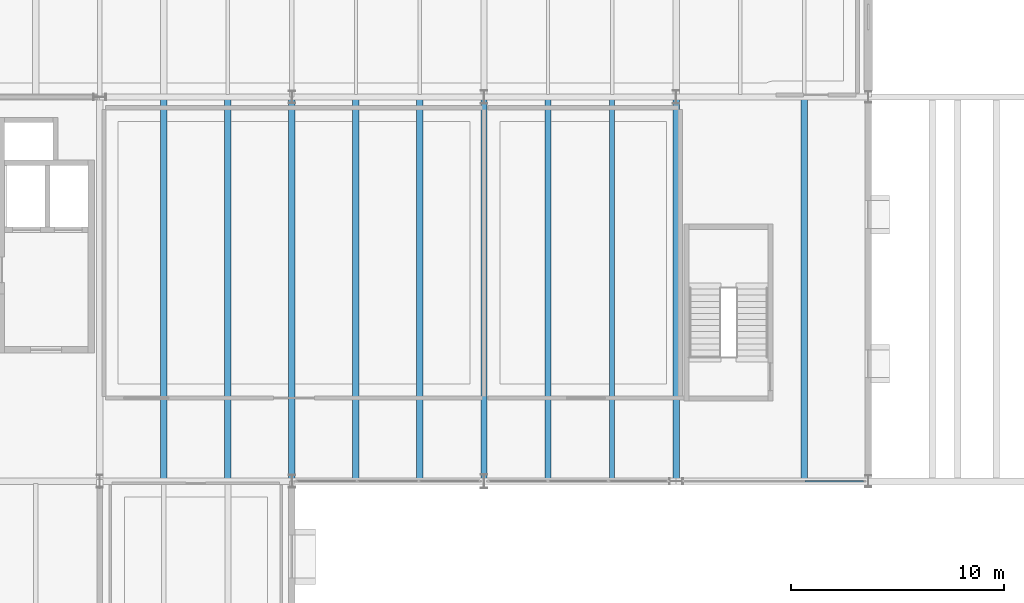
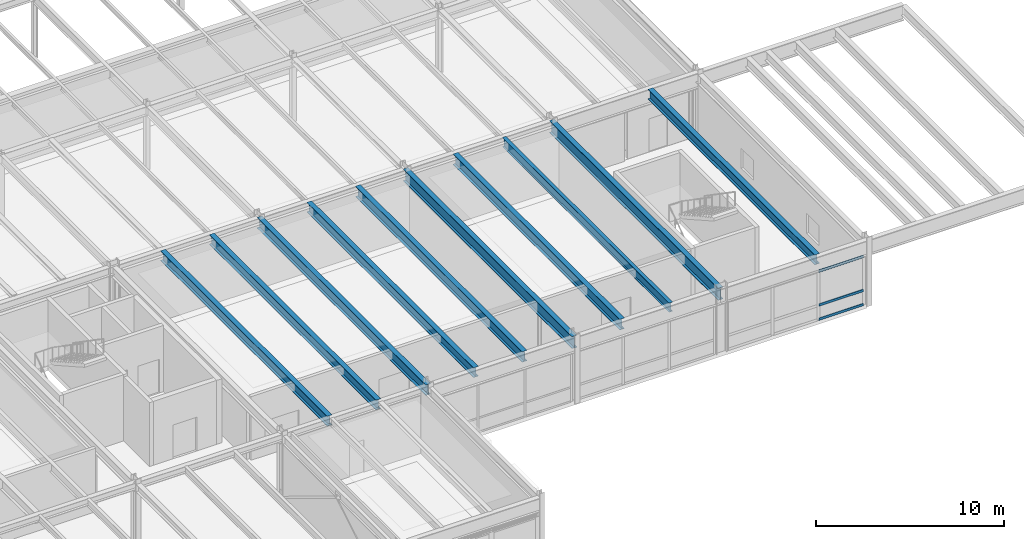
# One storey, part 92 of 127: 10 beams, 3 members, 1 element without a shape of its own.
"""IFC4 building model written with IfcOpenShell, lengths in metres."""

import ifcopenshell
import ifcopenshell.guid

model = None  # the IFC model being written
_history = None  # IfcOwnerHistory: only IFC2X3 demands one
_inside = {}  # id of a spatial element -> (the spatial element, [elements in it])
_under = {}  # id of a project, library or spatial element -> (it, [spatial elements below it])
_declared = {}  # id of a project -> (the project, [libraries it declares])
_typed = {}  # id of a type object -> (the type object, [elements of that type])
_made_of = {}  # id of a material, layer set ... -> (it, [elements and type objects made of it])


def new_model(schema):
    """Start an empty IFC model of exactly this schema.

    Asked for "IFC4X3", IfcOpenShell would pick the latest addendum, in which some entities
    have other attributes; the version numbers below select the first issue.
    IFC2X3 requires an IfcOwnerHistory on every rooted entity: one is made here for all.
    """
    global model, _history
    if schema == "IFC4X3":
        model = ifcopenshell.file(schema_version=(4, 3, 0, 0))
    else:
        model = ifcopenshell.file(schema=schema)
    _inside.clear()
    _under.clear()
    _declared.clear()
    _typed.clear()
    _made_of.clear()
    _history = None
    if model.schema == "IFC2X3":
        org = make("IfcOrganization", Name="unknown")
        user = make(
            "IfcPersonAndOrganization",
            ThePerson=make("IfcPerson", FamilyName="unknown"),
            TheOrganization=org,
        )
        app = make(
            "IfcApplication",
            ApplicationDeveloper=org,
            Version="unknown",
            ApplicationFullName="unknown",
            ApplicationIdentifier="unknown",
        )
        _history = make(
            "IfcOwnerHistory",
            OwningUser=user,
            OwningApplication=app,
            ChangeAction="ADDED",
            CreationDate=0,
        )
    return model


def make(cls, **values):
    """One entity of the class cls with the attributes given. An attribute that is None is left unset."""
    return model.create_entity(
        cls, **{name: value for name, value in values.items() if value is not None}
    )


def rooted(cls, **values):
    """An entity with a GlobalId (a new one), such as an element, a storey or a relation."""
    return make(cls, GlobalId=ifcopenshell.guid.new(), OwnerHistory=_history, **values)


def si_unit(unit_type, name, prefix=None):
    """IfcSIUnit, for example si_unit("LENGTHUNIT", "METRE", prefix="MILLI")."""
    return make("IfcSIUnit", UnitType=unit_type, Prefix=prefix, Name=name)


def assignment(units):
    """IfcUnitAssignment: the units of a project."""
    return None if units is None else make("IfcUnitAssignment", Units=units)


def point(xyz):
    """IfcCartesianPoint."""
    return None if xyz is None else make("IfcCartesianPoint", Coordinates=xyz)


def direction(xyz):
    """IfcDirection."""
    return None if xyz is None else make("IfcDirection", DirectionRatios=xyz)


def frame(location, z_axis=None, x_axis=None):
    """IfcAxis2Placement3D, a coordinate frame: its origin and axes. An axis left out is left unset."""
    return make(
        "IfcAxis2Placement3D",
        Location=point(location),
        Axis=direction(z_axis),
        RefDirection=direction(x_axis),
    )


def frame_2d(location, x_axis=None):
    """IfcAxis2Placement2D, a coordinate frame in the plane: its origin and x axis."""
    return make(
        "IfcAxis2Placement2D", Location=point(location), RefDirection=direction(x_axis)
    )


def origin():
    """The frame at (0, 0, 0) with its axes left unset."""
    return frame((0.0, 0.0, 0.0))


def origin_2d():
    """The frame at (0, 0) in the plane with its x axis left unset."""
    return frame_2d((0.0, 0.0))


def place(relative_to, where):
    """IfcLocalPlacement: puts the frame where relative to a parent placement (None: the world)."""
    return make(
        "IfcLocalPlacement", PlacementRelTo=relative_to, RelativePlacement=where
    )


def context(
    kind, dimensions, precision=None, world=None, true_north=None, identifier=None
):
    """IfcGeometricRepresentationContext, for example the 3D "Model" context."""
    return make(
        "IfcGeometricRepresentationContext",
        ContextIdentifier=identifier,
        ContextType=kind,
        CoordinateSpaceDimension=dimensions,
        Precision=precision,
        WorldCoordinateSystem=world,
        TrueNorth=true_north,
    )


def subcontext(parent, identifier, kind, view, scale=None):
    """IfcGeometricRepresentationSubContext, for example "Body" below "Model"."""
    return make(
        "IfcGeometricRepresentationSubContext",
        ContextIdentifier=identifier,
        ContextType=kind,
        ParentContext=parent,
        TargetScale=scale,
        TargetView=view,
    )


def project(units=None, contexts=None):
    """IfcProject with its units and contexts."""
    return rooted(
        "IfcProject",
        Name="project",
        RepresentationContexts=contexts,
        UnitsInContext=assignment(units),
    )


def spatial(cls, under=None, at=None, **own):
    """A site, building, storey or space (cls), placed at a placement, below another one or the project."""
    s = rooted(cls, ObjectPlacement=at, **own)
    if under is not None:
        _under.setdefault(under.id(), (under, []))[1].append(s)
    return s


def profile(cls, at=None, kind="AREA", **sizes):
    """A parametric profile (cls). Its sizes go by their IFC names, for example OverallWidth=200.0."""
    return make(cls, ProfileType=kind, Position=at, **sizes)


def hollow_rectangle(**sizes):
    """IfcRectangleHollowProfileDef."""
    return profile("IfcRectangleHollowProfileDef", **sizes)


def i_section(**sizes):
    """IfcIShapeProfileDef."""
    return profile("IfcIShapeProfileDef", **sizes)


def extrude(swept, where, along, depth):
    """IfcExtrudedAreaSolid: the profile swept, set in the frame where, extruded along a direction by depth."""
    return make(
        "IfcExtrudedAreaSolid",
        SweptArea=swept,
        Position=where,
        ExtrudedDirection=direction(along),
        Depth=depth,
    )


def shape(context_of_items, identifier, shape_type, items):
    """IfcShapeRepresentation: the items that make up one representation, for example the "Body"."""
    return make(
        "IfcShapeRepresentation",
        ContextOfItems=context_of_items,
        RepresentationIdentifier=identifier,
        RepresentationType=shape_type,
        Items=items,
    )


def material(Name=None, Category=None):
    """IfcMaterial."""
    return make("IfcMaterial", Name=Name, Category=Category)


def layer(
    of_material, thickness, ventilated=None, Name=None, Category=None, Priority=None
):
    """IfcMaterialLayer: one layer of a wall or slab, of a material (None: an air gap)."""
    return make(
        "IfcMaterialLayer",
        Material=of_material,
        LayerThickness=thickness,
        IsVentilated=ventilated,
        Name=Name,
        Category=Category,
        Priority=Priority,
    )


def layer_set(layers, Name=None):
    """IfcMaterialLayerSet."""
    return make("IfcMaterialLayerSet", MaterialLayers=layers, LayerSetName=Name)


def material_profile(
    of_material, cross_section, Name=None, Category=None, Priority=None
):
    """IfcMaterialProfile: a cross section and its material."""
    return make(
        "IfcMaterialProfile",
        Name=Name,
        Material=of_material,
        Profile=cross_section,
        Priority=Priority,
        Category=Category,
    )


def profile_set(profiles, Name=None, composite=None):
    """IfcMaterialProfileSet."""
    return make(
        "IfcMaterialProfileSet",
        Name=Name,
        MaterialProfiles=profiles,
        CompositeProfile=composite,
    )


def made_of(thing, what):
    """Note that an element or type object is made of a material, layer set ...; save() writes the relation."""
    if what is not None:
        _made_of.setdefault(what.id(), (what, []))[1].append(thing)
    return thing


def type_object(cls, material=None, **own):
    """A type object (cls), such as IfcWallType, which elements share."""
    return made_of(rooted(cls, **own), material)


def element(
    cls,
    number,
    at=None,
    inside=None,
    cuts=None,
    type_object=None,
    material=None,
    context=None,
    identifier="Body",
    shape_type=None,
    held_by="IfcProductDefinitionShape",
    body=None,
    shapes=None,
    **own,
):
    """One element of the class cls, such as IfcWall. Its Tag is "e" and its number.

    at: its placement. inside: the storey or other place that contains it. cuts: it is an
    opening in that element (IfcRelVoidsElement). A single representation is given by context,
    identifier, shape_type and body (its items); several are given by shapes. held_by: the class
    of the entity that holds the representations. save() writes the other relations.
    """
    e = rooted(cls, Tag="e%d" % number, ObjectPlacement=at, **own)
    if body is not None:
        shapes = [shape(context, identifier, shape_type, body)]
    if shapes is not None:
        e.Representation = make(held_by, Representations=shapes)
    if inside is not None:
        _inside.setdefault(inside.id(), (inside, []))[1].append(e)
    if cuts is not None:
        rooted(
            "IfcRelVoidsElement", RelatingBuildingElement=cuts, RelatedOpeningElement=e
        )
    if type_object is not None:
        _typed.setdefault(type_object.id(), (type_object, []))[1].append(e)
    return made_of(e, material)


def aggregate(whole, parts):
    """IfcRelAggregates: a whole, such as a stair, and the parts it consists of."""
    return rooted("IfcRelAggregates", RelatingObject=whole, RelatedObjects=parts)


def save(model, path):
    """Write the relations noted so far, then the file.

    IfcRelAggregates (storeys below a building ...), IfcRelContainedInSpatialStructure (elements
    in a storey), IfcRelDefinesByType, IfcRelAssociatesMaterial and IfcRelDeclares: one each for
    every whole, place, type object, material and project.
    """
    for whole, parts in _under.values():
        aggregate(whole, parts)
    for where, things in _inside.values():
        rooted(
            "IfcRelContainedInSpatialStructure",
            RelatedElements=things,
            RelatingStructure=where,
        )
    for kind, things in _typed.values():
        rooted("IfcRelDefinesByType", RelatedObjects=things, RelatingType=kind)
    for what, things in _made_of.values():
        rooted("IfcRelAssociatesMaterial", RelatedObjects=things, RelatingMaterial=what)
    for by, libraries in _declared.values():
        rooted("IfcRelDeclares", RelatingContext=by, RelatedDefinitions=libraries)
    model.write(path)


model = new_model("IFC4")

# Units and contexts
model_context = context("Model", 3, precision=1e-05, world=origin(), true_north=direction((0.0, 1.0)))
body_context = subcontext(model_context, "Body", "Model", "MODEL_VIEW")
ifc_project = project(units=[si_unit("LENGTHUNIT", "METRE"), si_unit("AREAUNIT", "SQUARE_METRE"), si_unit("VOLUMEUNIT", "CUBIC_METRE"), si_unit("PLANEANGLEUNIT", "RADIAN"), si_unit("MASSUNIT", "GRAM", prefix="KILO")], contexts=[model_context])

# Site, building, storey
site_placement = place(None, origin())
site = spatial("IfcSite", under=ifc_project, at=site_placement, CompositionType="ELEMENT")
building_placement = place(site_placement, origin())
building = spatial("IfcBuilding", under=site, at=building_placement, Name="Montelvaro Courts of Justice", CompositionType="ELEMENT")
storey_placement = place(building_placement, frame((0.0, 0.0, 5.39990234375)))
storey = spatial("IfcBuildingStorey", under=building, at=storey_placement, Name="L01", CompositionType="ELEMENT", Elevation=5.39990234375)

# Beams
ifc_material_1 = material(Name="Steel S355", Category="steel")
ifc_material_profile_1 = material_profile(ifc_material_1, i_section(OverallWidth=0.300048828125, OverallDepth=0.639892578125, WebThickness=0.013427734375, FlangeThickness=0.02587890625, at=origin_2d()), Name="HEA 650")
ifc_profile_set_1 = profile_set([ifc_material_profile_1], Name="Steel S355")
beam_type_1 = type_object("IfcBeamType", Name="Beam_HEA650", PredefinedType="USERDEFINED", material=ifc_profile_set_1)
for number, where, z_axis, x_axis, name in (
    (1, (132.0, 78.110107421875, 3.880126953125), (0.0, 1.0, 0.0), (-1.0, 0.0, 0.0), "Beam B-22 L01"),
    (2, (138.0, 78.110107421875, 3.880126953125), (0.0, 1.0, 0.0), (-1.0, 0.0, 0.0), "Beam B-22 L01"),
):
    element("IfcBeam", number, at=place(storey_placement, frame(where, z_axis=z_axis, x_axis=x_axis)), inside=storey, type_object=beam_type_1, Name=name, ObjectType="GIRDER", PredefinedType="USERDEFINED", context=body_context, shape_type="SweptSolid", body=[
        extrude(i_section(OverallWidth=0.300048828125, OverallDepth=0.639892578125, WebThickness=0.013427734375, FlangeThickness=0.02587890625, at=origin_2d()), origin(), (0.0, 0.0, 1.0), 17.77978515625),
    ])
ifc_material_profile_2 = material_profile(ifc_material_1, i_section(OverallWidth=0.300048828125, OverallDepth=0.68994140625, WebThickness=0.014404296875, FlangeThickness=0.027099609375, at=origin_2d()), Name="HEA 700")
ifc_profile_set_2 = profile_set([ifc_material_profile_2], Name="Steel S355")
beam_type_2 = type_object("IfcBeamType", Name="Beam_HEA700", PredefinedType="USERDEFINED", material=ifc_profile_set_2)
beam_1_placement = place(storey_placement, frame((135.0, 78.0, 3.85498046875), z_axis=(0.0, 1.0, 0.0), x_axis=(-1.0, 0.0, 0.0)))
element("IfcBeam", 3, at=beam_1_placement, inside=storey, type_object=beam_type_2, Name="Beam B-23 L01", ObjectType="GIRDER", PredefinedType="USERDEFINED", context=body_context, shape_type="SweptSolid", body=[
    extrude(i_section(OverallWidth=0.300048828125, OverallDepth=0.68994140625, WebThickness=0.014404296875, FlangeThickness=0.027099609375, at=origin_2d()), origin(), (0.0, 0.0, 1.0), 18.0),
])
for number, where, z_axis, x_axis, name in (
    (4, (141.0, 78.110107421875, 3.85498046875), (0.0, 1.0, 0.0), (-1.0, 0.0, 0.0), "Beam B-23 L01"),
    (5, (147.0, 78.110107421875, 3.85498046875), (0.0, 1.0, 0.0), (-1.0, 0.0, 0.0), "Beam B-23 L01"),
):
    element("IfcBeam", number, at=place(storey_placement, frame(where, z_axis=z_axis, x_axis=x_axis)), inside=storey, type_object=beam_type_2, Name=name, ObjectType="GIRDER", PredefinedType="USERDEFINED", context=body_context, shape_type="SweptSolid", body=[
        extrude(i_section(OverallWidth=0.300048828125, OverallDepth=0.68994140625, WebThickness=0.014404296875, FlangeThickness=0.027099609375, at=origin_2d()), origin(), (0.0, 0.0, 1.0), 17.77978515625),
    ])
ifc_material_profile_3 = material_profile(ifc_material_1, i_section(OverallWidth=0.300048828125, OverallDepth=0.7900390625, WebThickness=0.014892578125, FlangeThickness=0.028076171875, at=origin_2d()), Name="HEA 800")
ifc_profile_set_3 = profile_set([ifc_material_profile_3], Name="Steel S355")
beam_type_3 = type_object("IfcBeamType", Name="Beam_HEA800", PredefinedType="USERDEFINED", material=ifc_profile_set_3)
beam_2_placement = place(storey_placement, frame((144.0, 78.0, 3.80517578125), z_axis=(0.0, 1.0, 0.0), x_axis=(-1.0, 0.0, 0.0)))
element("IfcBeam", 6, at=beam_2_placement, inside=storey, type_object=beam_type_3, Name="Beam B-24 L01", ObjectType="GIRDER", PredefinedType="USERDEFINED", context=body_context, shape_type="SweptSolid", body=[
    extrude(i_section(OverallWidth=0.300048828125, OverallDepth=0.7900390625, WebThickness=0.014892578125, FlangeThickness=0.028076171875, at=origin_2d()), origin(), (0.0, 0.0, 1.0), 18.0),
])
ifc_material_profile_4 = material_profile(ifc_material_1, i_section(OverallWidth=0.300048828125, OverallDepth=0.64990234375, WebThickness=0.01611328125, FlangeThickness=0.031005859375, at=origin_2d()), Name="HEB 650")
ifc_profile_set_4 = profile_set([ifc_material_profile_4], Name="Steel S355")
beam_type_4 = type_object("IfcBeamType", Name="Beam_HEB650", PredefinedType="USERDEFINED", material=ifc_profile_set_4)
for number, where, z_axis, x_axis, name in (
    (7, (129.0, 78.110107421875, 3.875), (0.0, 1.0, 0.0), (-1.0, 0.0, 0.0), "Beam B-27 L01"),
    (8, (159.0, 78.110107421875, 3.875), (0.0, 1.0, 0.0), (-1.0, 0.0, 0.0), "Beam B-27 L01"),
):
    element("IfcBeam", number, at=place(storey_placement, frame(where, z_axis=z_axis, x_axis=x_axis)), inside=storey, type_object=beam_type_4, Name=name, ObjectType="GIRDER", PredefinedType="USERDEFINED", context=body_context, shape_type="SweptSolid", body=[
        extrude(i_section(OverallWidth=0.300048828125, OverallDepth=0.64990234375, WebThickness=0.01611328125, FlangeThickness=0.031005859375, at=origin_2d()), origin(), (0.0, 0.0, 1.0), 17.77978515625),
    ])
ifc_material_profile_5 = material_profile(ifc_material_1, i_section(OverallWidth=0.300048828125, OverallDepth=0.800048828125, WebThickness=0.017578125, FlangeThickness=0.032958984375, at=origin_2d()), Name="HEB 800")
ifc_profile_set_5 = profile_set([ifc_material_profile_5], Name="Steel S355")
beam_type_5 = type_object("IfcBeamType", Name="Beam_HEB800", PredefinedType="USERDEFINED", material=ifc_profile_set_5)
beam_3_placement = place(storey_placement, frame((153.0, 78.0, 3.800048828125), z_axis=(0.0, 1.0, 0.0), x_axis=(-1.0, 0.0, 0.0)))
element("IfcBeam", 9, at=beam_3_placement, inside=storey, type_object=beam_type_5, Name="Beam B-29 L01", ObjectType="GIRDER", PredefinedType="USERDEFINED", context=body_context, shape_type="SweptSolid", body=[
    extrude(i_section(OverallWidth=0.300048828125, OverallDepth=0.800048828125, WebThickness=0.017578125, FlangeThickness=0.032958984375, at=origin_2d()), origin(), (0.0, 0.0, 1.0), 18.0),
])
ifc_material_profile_6 = material_profile(ifc_material_1, i_section(OverallWidth=0.219970703125, OverallDepth=0.60009765625, WebThickness=0.011962890625, FlangeThickness=0.01904296875, at=origin_2d()), Name="IPE 600")
ifc_profile_set_6 = profile_set([ifc_material_profile_6], Name="Steel S355")
beam_type_6 = type_object("IfcBeamType", Name="Beam_IPE600", PredefinedType="USERDEFINED", material=ifc_profile_set_6)
beam_4_placement = place(storey_placement, frame((150.0, 78.110107421875, 3.900146484375), z_axis=(0.0, 1.0, 0.0), x_axis=(-1.0, 0.0, 0.0)))
element("IfcBeam", 10, at=beam_4_placement, inside=storey, type_object=beam_type_6, Name="Beam B-12 L01", ObjectType="GIRDER", PredefinedType="USERDEFINED", context=body_context, shape_type="SweptSolid", body=[
    extrude(i_section(OverallWidth=0.219970703125, OverallDepth=0.60009765625, WebThickness=0.011962890625, FlangeThickness=0.01904296875, at=origin_2d()), origin(), (0.0, 0.0, 1.0), 17.77978515625),
])

# Curtain wall, members
ifc_material_2 = material(Name="Anodised aluminium EN AW-6063", Category="aluminium")
ifc_layer = layer(ifc_material_2, 0.159912109375)
ifc_layer_set = layer_set([ifc_layer], Name="Anodised aluminium EN AW-6063")
curtain_wall_type = type_object("IfcCurtainWallType", Name="CurtainWall_21_849x418", PredefinedType="USERDEFINED", material=ifc_layer_set)
curtain_wall_placement = place(storey_placement, origin())
curtain_wall = element("IfcCurtainWall", 11, at=curtain_wall_placement, inside=storey, type_object=curtain_wall_type, Name="Curtain Wall CW-21 (L01)", ObjectType="CURTAIN WALL", PredefinedType="USERDEFINED")
ifc_material_profile_7 = material_profile(ifc_material_2, hollow_rectangle(XDim=0.06005859375, YDim=0.159912109375, WallThickness=0.00439453125, at=origin_2d()), Name="ALU-T 60x160")
ifc_profile_set_7 = profile_set([ifc_material_profile_7], Name="Anodised aluminium EN AW-6063")
member_type = type_object("IfcMemberType", Name="CurtainWall_Transom_60x160", PredefinedType="USERDEFINED", material=ifc_profile_set_7)
member_1_placement = place(storey_placement, frame((159.033447265625, 78.0, 0.030029296875), z_axis=(1.0, 0.0, 0.0), x_axis=(0.0, 1.0, 0.0)))
member_1 = element("IfcMember", 12, at=member_1_placement, type_object=member_type, Name="CW-21 transom 3.1", ObjectType="TRANSOM", PredefinedType="USERDEFINED", context=body_context, shape_type="SweptSolid", body=[
    extrude(hollow_rectangle(XDim=0.06005859375, YDim=0.159912109375, WallThickness=0.00439453125, at=origin_2d()), origin(), (0.0, 0.0, 1.0), 2.741455078125),
])
member_2_placement = place(storey_placement, frame((159.033447265625, 78.0, 0.9501953125), z_axis=(1.0, 0.0, 0.0), x_axis=(0.0, 1.0, 0.0)))
member_2 = element("IfcMember", 13, at=member_2_placement, type_object=member_type, Name="CW-21 transom 3.2", ObjectType="TRANSOM", PredefinedType="USERDEFINED", context=body_context, shape_type="SweptSolid", body=[
    extrude(hollow_rectangle(XDim=0.06005859375, YDim=0.159912109375, WallThickness=0.00439453125, at=origin_2d()), origin(), (0.0, 0.0, 1.0), 2.741455078125),
])
member_3_placement = place(storey_placement, frame((159.033447265625, 78.0, 3.156982421875), z_axis=(1.0, 0.0, 0.0), x_axis=(0.0, 1.0, 0.0)))
member_3 = element("IfcMember", 14, at=member_3_placement, type_object=member_type, Name="CW-21 transom 3.3", ObjectType="TRANSOM", PredefinedType="USERDEFINED", context=body_context, shape_type="SweptSolid", body=[
    extrude(hollow_rectangle(XDim=0.06005859375, YDim=0.159912109375, WallThickness=0.00439453125, at=origin_2d()), origin(), (0.0, 0.0, 1.0), 2.741455078125),
])
aggregate(curtain_wall, [member_1, member_2, member_3])

save(model, "model.ifc")
